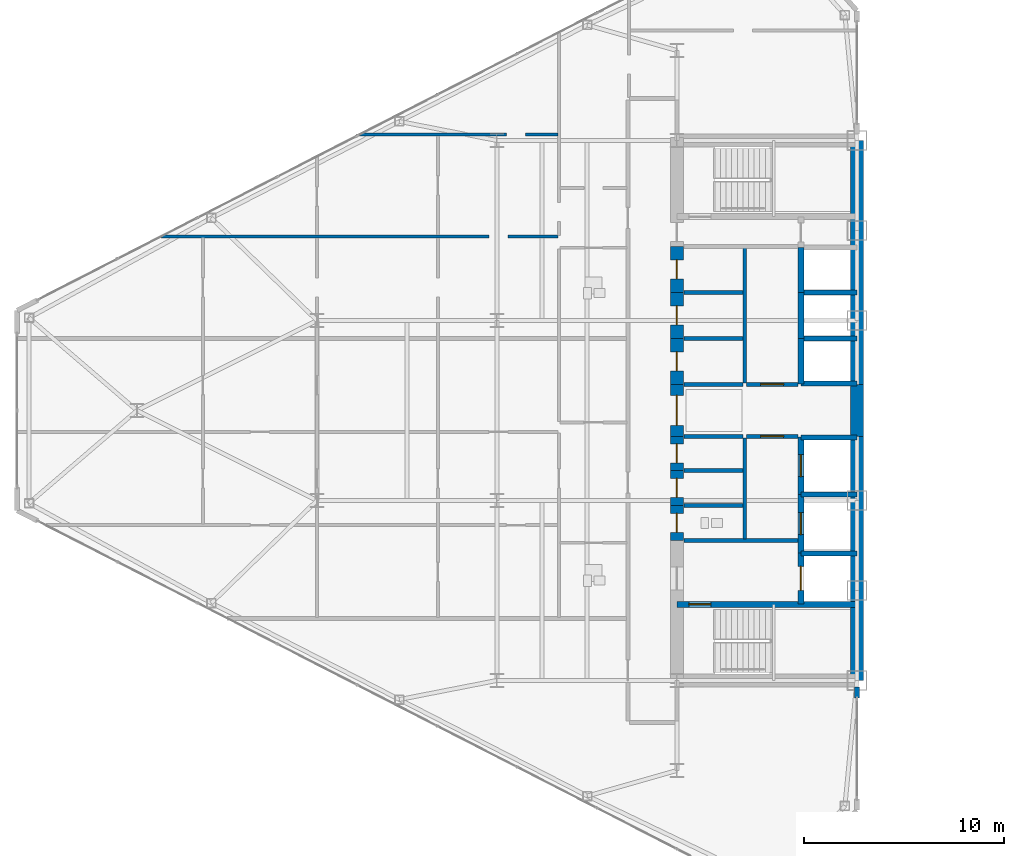
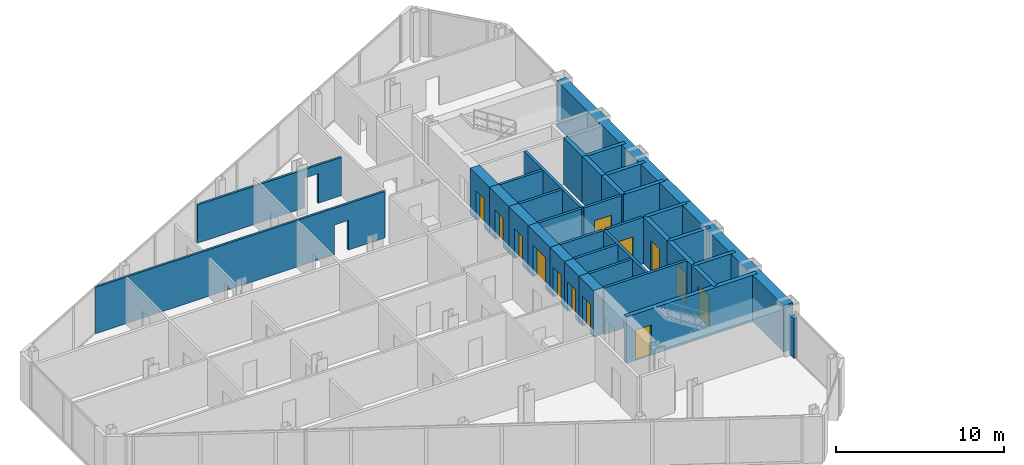
# One storey, part 17 of 24: 37 walls, 13 doors, 15 openings.
"""IFC4 building model written with IfcOpenShell, lengths in metres."""

from ifc_helpers import new_model, si_unit, direction, frame, frame_2d, origin, place, context, subcontext, project, spatial, rectangle, extrude, source, transform, mapped, material, layer, layer_set, type_object, type_shapes, element, fill, save


model = new_model("IFC4")

# Units and contexts
model_context = context("Model", 3, precision=1e-05, world=origin(), true_north=direction((0.0, 1.0)))
body_context = subcontext(model_context, "Body", "Model", "MODEL_VIEW")
ifc_project = project(units=[si_unit("LENGTHUNIT", "METRE"), si_unit("AREAUNIT", "SQUARE_METRE"), si_unit("VOLUMEUNIT", "CUBIC_METRE"), si_unit("PLANEANGLEUNIT", "RADIAN"), si_unit("MASSUNIT", "GRAM", prefix="KILO")], contexts=[model_context])

# Site, building, storey
site_placement = place(None, origin())
site = spatial("IfcSite", under=ifc_project, at=site_placement, CompositionType="ELEMENT")
building_placement = place(site_placement, origin())
building = spatial("IfcBuilding", under=site, at=building_placement, Name="Seokmaru Belvedere", CompositionType="ELEMENT")
storey_placement = place(building_placement, frame((0.0, 0.0, 124.800048828125)))
storey = spatial("IfcBuildingStorey", under=building, at=storey_placement, Name="L33", CompositionType="ELEMENT", Elevation=124.800048828125)

# Wall, opening
ifc_material_1 = material(Name="Fire-Rated Gypsum Shaftwall")
ifc_layer_1 = layer(ifc_material_1, 0.14990234375)
ifc_layer_set_1 = layer_set([ifc_layer_1], Name="Fire-Rated Gypsum Shaftwall")
wall_type_1 = type_object("IfcWallType", Name="Apartment Fire-Acoustic Room Partition 150", PredefinedType="PARTITIONING", material=ifc_layer_set_1)
wall_1_placement = place(storey_placement, frame((-62.321044921875, 8.699951171875, 0.0), z_axis=(0.0, 0.0, 1.0), x_axis=(1.0, 0.0, 0.0)))
wall_1 = element("IfcWall", 1, at=wall_1_placement, inside=storey, type_object=wall_type_1, Name="L33 Interior Partition 020", PredefinedType="PARTITIONING", context=body_context, shape_type="SweptSolid", body=[
    extrude(rectangle(XDim=19.87109375, YDim=0.14990234375, at=frame_2d((9.935546875, 0.0))), origin(), (0.0, 0.0, 1.0), 3.3798828125),
])
opening_1_placement = place(wall_1_placement, frame((16.4208984375, 0.0, 0.0)))
element("IfcOpeningElement", 2, at=opening_1_placement, cuts=wall_1, Name="L33 Cased Opening 020", PredefinedType="OPENING", context=body_context, shape_type="SweptSolid", body=[
    extrude(rectangle(XDim=0.949951171875, YDim=2.14990234375, at=frame_2d((0.47509765625, 1.074951171875))), frame((0.0, 0.0849609375, 0.0), z_axis=(0.0, -1.0, 0.0), x_axis=(1.0, 0.0, 0.0)), (0.0, 0.0, 1.0), 0.169921875),
])

wall_2_placement = place(storey_placement, frame((-52.3779296875, 13.800048828125, 0.0), z_axis=(0.0, 0.0, 1.0), x_axis=(1.0, 0.0, 0.0)))
wall_2 = element("IfcWall", 3, at=wall_2_placement, inside=storey, type_object=wall_type_1, Name="L33 Interior Partition 023", PredefinedType="PARTITIONING", context=body_context, shape_type="SweptSolid", body=[
    extrude(rectangle(XDim=9.927978515625, YDim=0.14990234375, at=frame_2d((4.9638671875, 0.0))), origin(), (0.0, 0.0, 1.0), 2.780029296875),
])
opening_2_placement = place(wall_2_placement, frame((7.351318359375, 0.0, 0.0)))
element("IfcOpeningElement", 4, at=opening_2_placement, cuts=wall_2, Name="L33 Cased Opening 022", PredefinedType="OPENING", context=body_context, shape_type="SweptSolid", body=[
    extrude(rectangle(XDim=0.949951171875, YDim=2.14990234375, at=frame_2d((0.47509765625, 1.074951171875))), frame((0.0, 0.0849609375, 0.0), z_axis=(0.0, -1.0, 0.0), x_axis=(1.0, 0.0, 0.0)), (0.0, 0.0, 1.0), 0.169921875),
])

# Walls
ifc_layer_2 = layer(ifc_material_1, 0.179931640625)
ifc_layer_set_2 = layer_set([ifc_layer_2], Name="Fire-Rated Gypsum Shaftwall")
wall_type_2 = type_object("IfcWallType", Name="Core Service Fire Partition 180", PredefinedType="PARTITIONING", material=ifc_layer_set_2)
wall_3_placement = place(storey_placement, frame((-36.14990234375, -6.5, 0.0), z_axis=(0.0, 0.0, 1.0), x_axis=(1.0, 0.0, 0.0)))
element("IfcWall", 5, at=wall_3_placement, inside=storey, type_object=wall_type_2, Name="L33 West Firefighting Lobby Partition", PredefinedType="PARTITIONING", context=body_context, shape_type="SweptSolid", body=[
    extrude(rectangle(XDim=5.699951171875, YDim=0.179931640625, at=frame_2d((2.85009765625, 0.0))), origin(), (0.0, 0.0, 1.0), 3.3798828125),
])
wall_4_placement = place(storey_placement, frame((-33.10009765625, -6.419921875, 0.0), z_axis=(0.0, 0.0, 1.0), x_axis=(0.0, 1.0, 0.0)))
element("IfcWall", 6, at=wall_4_placement, inside=storey, type_object=wall_type_2, Name="L33 West South Core Service Back Wall", PredefinedType="PARTITIONING", context=body_context, shape_type="SweptSolid", body=[
    extrude(rectangle(XDim=5.0400390625, YDim=0.179931640625, at=frame_2d((2.52001953125, 0.0))), origin(), (0.0, 0.0, 1.0), 3.3798828125),
])
wall_5_placement = place(storey_placement, frame((-33.10009765625, 1.3798828125, 0.0), z_axis=(0.0, 0.0, 1.0), x_axis=(0.0, 1.0, 0.0)))
element("IfcWall", 7, at=wall_5_placement, inside=storey, type_object=wall_type_2, Name="L33 West North Core Service Back Wall", PredefinedType="PARTITIONING", context=body_context, shape_type="SweptSolid", body=[
    extrude(rectangle(XDim=6.740234375, YDim=0.179931640625, at=frame_2d((3.3701171875, 0.0))), origin(), (0.0, 0.0, 1.0), 3.3798828125),
])

# Wall, opening, door
wall_6_placement = place(storey_placement, frame((-33.02001953125, -1.300048828125, 0.0), z_axis=(0.0, 0.0, 1.0), x_axis=(1.0, 0.0, 0.0)))
wall_6 = element("IfcWall", 8, at=wall_6_placement, inside=storey, type_object=wall_type_2, Name="L33 West South Lift Lobby Foyer Wall", PredefinedType="PARTITIONING", context=body_context, shape_type="SweptSolid", body=[
    extrude(rectangle(XDim=2.570068359375, YDim=0.179931640625, at=frame_2d((1.28515625, 0.0))), origin(), (0.0, 0.0, 1.0), 3.3798828125),
])
opening_3_placement = place(wall_6_placement, frame((0.7099609375, 0.0, 0.0)))
opening_3 = element("IfcOpeningElement", 9, at=opening_3_placement, cuts=wall_6, Name="Opening D02", PredefinedType="OPENING", context=body_context, shape_type="SweptSolid", body=[
    extrude(rectangle(XDim=1.14990234375, YDim=2.199951171875, at=frame_2d((0.574951171875, 1.10009765625))), frame((0.0, 0.10009765625, 0.0), z_axis=(0.0, -1.0, 0.0), x_axis=(1.0, 0.0, 0.0)), (0.0, 0.0, 1.0), 0.199951171875),
])
ifc_material_2 = material(Name="Fire-Rated Steel Leaf", Category="steel")
door_type_1 = type_object("IfcDoorType", Name="Lobby and Vestibule Fire Door 1150x2200", OperationType="NOTDEFINED", PredefinedType="DOOR", material=ifc_material_2)
shared_shape_1 = source(origin(), body_context, "Body", "SweptSolid", [
    extrude(rectangle(XDim=1.14990234375, YDim=2.199951171875, at=frame_2d((0.574951171875, 1.10009765625))), frame((0.0, 0.02490234375, 0.0), z_axis=(0.0, -1.0, 0.0), x_axis=(1.0, 0.0, 0.0)), (0.0, 0.0, 1.0), 0.050048828125),
])
type_shapes(door_type_1, [shared_shape_1])
door_1_placement = place(opening_3_placement, origin())
door_1 = element("IfcDoor", 10, at=door_1_placement, inside=storey, type_object=door_type_1, Name="L33 West South Core Foyer Door", OperationType="SINGLE_SWING_LEFT", OverallHeight=2.199951171875, OverallWidth=1.14990234375, PredefinedType="DOOR", context=body_context, shape_type="MappedRepresentation", body=[
    mapped(shared_shape_1, transform((0.0, 0.0, 0.0), scale=1.0)),
])
fill(opening_3, door_1)

wall_7_placement = place(storey_placement, frame((-33.02001953125, 1.300048828125, 0.0), z_axis=(0.0, 0.0, 1.0), x_axis=(1.0, 0.0, 0.0)))
wall_7 = element("IfcWall", 11, at=wall_7_placement, inside=storey, type_object=wall_type_2, Name="L33 West North Lift Lobby Foyer Wall", PredefinedType="PARTITIONING", context=body_context, shape_type="SweptSolid", body=[
    extrude(rectangle(XDim=2.570068359375, YDim=0.179931640625, at=frame_2d((1.28515625, 0.0))), origin(), (0.0, 0.0, 1.0), 3.3798828125),
])
opening_4_placement = place(wall_7_placement, frame((0.7099609375, 0.0, 0.0)))
opening_4 = element("IfcOpeningElement", 12, at=opening_4_placement, cuts=wall_7, Name="Opening D02", PredefinedType="OPENING", context=body_context, shape_type="SweptSolid", body=[
    extrude(rectangle(XDim=1.14990234375, YDim=2.199951171875, at=frame_2d((0.574951171875, 1.10009765625))), frame((0.0, 0.10009765625, 0.0), z_axis=(0.0, -1.0, 0.0), x_axis=(1.0, 0.0, 0.0)), (0.0, 0.0, 1.0), 0.199951171875),
])
door_2_placement = place(opening_4_placement, origin())
door_2 = element("IfcDoor", 13, at=door_2_placement, inside=storey, type_object=door_type_1, Name="L33 West North Lift Lobby Door", OperationType="SINGLE_SWING_RIGHT", OverallHeight=2.199951171875, OverallWidth=1.14990234375, PredefinedType="DOOR", context=body_context, shape_type="MappedRepresentation", body=[
    mapped(shared_shape_1, transform((0.0, 0.0, 0.0), scale=1.0)),
])
fill(opening_4, door_2)

# Walls
for number, where, z_axis, x_axis, name in (
    (14, (-36.14990234375, -1.300048828125, 0.0), (0.0, 0.0, 1.0), (1.0, 0.0, 0.0), "L33 West Foyer Side Wall S"),
    (15, (-36.14990234375, 1.300048828125, 0.0), (0.0, 0.0, 1.0), (1.0, 0.0, 0.0), "L33 West Foyer Side Wall N"),
    (16, (-36.14990234375, -4.75, 0.0), (0.0, 0.0, 1.0), (1.0, 0.0, 0.0), "L33 West Core Service Partition 1"),
    (17, (-36.14990234375, -3.0, 0.0), (0.0, 0.0, 1.0), (1.0, 0.0, 0.0), "L33 West Core Service Partition 2"),
    (18, (-36.14990234375, 3.60009765625, 0.0), (0.0, 0.0, 1.0), (1.0, 0.0, 0.0), "L33 West Core Service Partition 3"),
    (19, (-36.14990234375, 5.89990234375, 0.0), (0.0, 0.0, 1.0), (1.0, 0.0, 0.0), "L33 West Core Service Partition 4"),
):
    element("IfcWall", number, at=place(storey_placement, frame(where, z_axis=z_axis, x_axis=x_axis)), inside=storey, type_object=wall_type_2, Name=name, PredefinedType="PARTITIONING", context=body_context, shape_type="SweptSolid", body=[
        extrude(rectangle(XDim=2.949951171875, YDim=0.179931640625, at=frame_2d((1.47509765625, 0.0))), origin(), (0.0, 0.0, 1.0), 3.3798828125),
    ])
ifc_material_3 = material(Name="Concrete C50 (50 MPa)", Category="concrete")
ifc_layer_3 = layer(ifc_material_3, 0.25)
ifc_layer_set_3 = layer_set([ifc_layer_3], Name="Concrete C50 (50 MPa)")
wall_type_3 = type_object("IfcWallType", Name="Hoistway Transverse Concrete Divider Wall 250", PredefinedType="SHEAR", material=ifc_layer_set_3)
for number, where, z_axis, x_axis, name in (
    (20, (-30.300048828125, -7.14990234375, 0.0), (0.0, 0.0, 1.0), (1.0, 0.0, 0.0), "L33 West Hoistway Divider Core Wall 1"),
    (21, (-30.300048828125, -4.199951171875, 0.0), (0.0, 0.0, 1.0), (1.0, 0.0, 0.0), "L33 West Hoistway Divider Core Wall 2"),
    (22, (-30.300048828125, -1.35009765625, 0.0), (0.0, 0.0, 1.0), (1.0, 0.0, 0.0), "L33 West Hoistway Divider Core Wall 3"),
    (23, (-30.300048828125, 1.35009765625, 0.0), (0.0, 0.0, 1.0), (1.0, 0.0, 0.0), "L33 West Hoistway Divider Core Wall 4"),
    (24, (-30.300048828125, 3.60009765625, 0.0), (0.0, 0.0, 1.0), (1.0, 0.0, 0.0), "L33 West Hoistway Divider Core Wall 5"),
    (25, (-30.300048828125, 5.89990234375, 0.0), (0.0, 0.0, 1.0), (1.0, 0.0, 0.0), "L33 West Hoistway Divider Core Wall 6"),
):
    element("IfcWall", number, at=place(storey_placement, frame(where, z_axis=z_axis, x_axis=x_axis)), inside=storey, type_object=wall_type_3, Name=name, PredefinedType="SHEAR", context=body_context, shape_type="SweptSolid", body=[
        extrude(rectangle(XDim=2.800048828125, YDim=0.25, at=frame_2d((1.39990234375, 0.0))), origin(), (0.0, 0.0, 1.0), 3.3798828125),
    ])

# Wall, opening, door
ifc_layer_4 = layer(ifc_material_3, 0.300048828125)
ifc_layer_set_4 = layer_set([ifc_layer_4], Name="Concrete C50 (50 MPa)")
wall_type_4 = type_object("IfcWallType", Name="Internal Core Stair and Hoistway Wall 300", PredefinedType="SHEAR", material=ifc_layer_set_4)
wall_8_placement = place(storey_placement, frame((-36.5, -9.699951171875, 0.0), z_axis=(0.0, 0.0, 1.0), x_axis=(1.0, 0.0, 0.0)))
wall_8 = element("IfcWall", 26, at=wall_8_placement, inside=storey, type_object=wall_type_4, Name="L33 West Stair ST-1 Enclosure Wall", PredefinedType="SHEAR", context=body_context, shape_type="SweptSolid", body=[
    extrude(rectangle(XDim=9.0, YDim=0.300048828125, at=frame_2d((4.5, 0.0))), origin(), (0.0, 0.0, 1.0), 3.3798828125),
])
opening_5_placement = place(wall_8_placement, frame((0.60009765625, 0.0, 0.0)))
opening_5 = element("IfcOpeningElement", 27, at=opening_5_placement, cuts=wall_8, Name="Opening D01", PredefinedType="OPENING", context=body_context, shape_type="SweptSolid", body=[
    extrude(rectangle(XDim=1.10009765625, YDim=2.199951171875, at=frame_2d((0.550048828125, 1.10009765625))), frame((0.0, 0.16015625, 0.0), z_axis=(0.0, -1.0, 0.0), x_axis=(1.0, 0.0, 0.0)), (0.0, 0.0, 1.0), 0.320068359375),
])
door_type_2 = type_object("IfcDoorType", Name="Special Escape Stair Smokeproof Fire Door 1100x2200", OperationType="NOTDEFINED", PredefinedType="DOOR", material=ifc_material_2)
shared_shape_2 = source(origin(), body_context, "Body", "SweptSolid", [
    extrude(rectangle(XDim=1.10009765625, YDim=2.199951171875, at=frame_2d((0.550048828125, 1.10009765625))), frame((0.0, 0.02490234375, 0.0), z_axis=(0.0, -1.0, 0.0), x_axis=(1.0, 0.0, 0.0)), (0.0, 0.0, 1.0), 0.050048828125),
])
type_shapes(door_type_2, [shared_shape_2])
door_3_placement = place(opening_5_placement, frame((1.10009765625, 0.0, 0.0), z_axis=(0.0, 0.0, 1.0), x_axis=(-1.0, 0.0, 0.0)))
door_3 = element("IfcDoor", 28, at=door_3_placement, inside=storey, type_object=door_type_2, Name="L33 West Special Escape Stair ST-1 Door", OperationType="SINGLE_SWING_LEFT", OverallHeight=2.199951171875, OverallWidth=1.10009765625, PredefinedType="DOOR", context=body_context, shape_type="MappedRepresentation", body=[
    mapped(shared_shape_2, transform((0.0, 0.0, 0.0), scale=1.0)),
])
fill(opening_5, door_3)

wall_9_placement = place(storey_placement, frame((-30.300048828125, -9.679931640625, 0.0), z_axis=(0.0, 0.0, 1.0), x_axis=(0.0, 1.0, 0.0)))
wall_9 = element("IfcWall", 29, at=wall_9_placement, inside=storey, type_object=wall_type_4, Name="L33 West Firefighting Lift Shaft Front Wall", PredefinedType="SHEAR", context=body_context, shape_type="SweptSolid", body=[
    extrude(rectangle(XDim=2.559814453125, YDim=0.300048828125, at=frame_2d((1.27978515625, 0.0))), origin(), (0.0, 0.0, 1.0), 3.3798828125),
])
opening_6_placement = place(wall_9_placement, frame((0.679931640625, 0.0, 0.0)))
opening_6 = element("IfcOpeningElement", 30, at=opening_6_placement, cuts=wall_9, Name="Opening LD2", PredefinedType="OPENING", context=body_context, shape_type="SweptSolid", body=[
    extrude(rectangle(XDim=1.199951171875, YDim=2.25, at=frame_2d((0.60009765625, 1.125))), frame((0.0, 0.16015625, 0.0), z_axis=(0.0, -1.0, 0.0), x_axis=(1.0, 0.0, 0.0)), (0.0, 0.0, 1.0), 0.320068359375),
])
ifc_material_4 = material(Name="Stainless Steel 316", Category="steel")
door_type_3 = type_object("IfcDoorType", Name="Firefighting Lift Sliding Landing Door 1200x2250", OperationType="DOUBLE_DOOR_SLIDING", PredefinedType="DOOR", material=ifc_material_4)
shared_shape_3 = source(origin(), body_context, "Body", "SweptSolid", [
    extrude(rectangle(XDim=1.199951171875, YDim=2.25, at=frame_2d((0.60009765625, 1.125))), frame((0.0, 0.02490234375, 0.0), z_axis=(0.0, -1.0, 0.0), x_axis=(1.0, 0.0, 0.0)), (0.0, 0.0, 1.0), 0.050048828125),
])
type_shapes(door_type_3, [shared_shape_3])
door_4_placement = place(opening_6_placement, origin())
door_4 = element("IfcDoor", 31, at=door_4_placement, inside=storey, type_object=door_type_3, Name="L33 West Firefighting Lift Landing Door", OperationType="DOUBLE_DOOR_SLIDING", OverallHeight=2.25, OverallWidth=1.199951171875, PredefinedType="DOOR", context=body_context, shape_type="MappedRepresentation", body=[
    mapped(shared_shape_3, transform((0.0, 0.0, 0.0), scale=1.0)),
])
fill(opening_6, door_4)

wall_10_placement = place(storey_placement, frame((-30.300048828125, -7.1201171875, 0.0), z_axis=(0.0, 0.0, 1.0), x_axis=(0.0, 1.0, 0.0)))
wall_10 = element("IfcWall", 32, at=wall_10_placement, inside=storey, type_object=wall_type_4, Name="L33 West Low-Rise Lift PL-1 Front Wall", PredefinedType="SHEAR", context=body_context, shape_type="SweptSolid", body=[
    extrude(rectangle(XDim=2.920166015625, YDim=0.300048828125, at=frame_2d((1.4599609375, 0.0))), origin(), (0.0, 0.0, 1.0), 3.3798828125),
])
opening_7_placement = place(wall_10_placement, frame((0.909912109375, 0.0, 0.0)))
opening_7 = element("IfcOpeningElement", 33, at=opening_7_placement, cuts=wall_10, Name="Opening LD1", PredefinedType="OPENING", context=body_context, shape_type="SweptSolid", body=[
    extrude(rectangle(XDim=1.10009765625, YDim=2.199951171875, at=frame_2d((0.550048828125, 1.10009765625))), frame((0.0, 0.16015625, 0.0), z_axis=(0.0, -1.0, 0.0), x_axis=(1.0, 0.0, 0.0)), (0.0, 0.0, 1.0), 0.320068359375),
])
door_type_4 = type_object("IfcDoorType", Name="Passenger Lift Sliding Landing Door 1100x2200", OperationType="DOUBLE_DOOR_SLIDING", PredefinedType="DOOR", material=ifc_material_4)
shared_shape_4 = source(origin(), body_context, "Body", "SweptSolid", [
    extrude(rectangle(XDim=1.10009765625, YDim=2.199951171875, at=frame_2d((0.550048828125, 1.10009765625))), frame((0.0, 0.02490234375, 0.0), z_axis=(0.0, -1.0, 0.0), x_axis=(1.0, 0.0, 0.0)), (0.0, 0.0, 1.0), 0.050048828125),
])
type_shapes(door_type_4, [shared_shape_4])
door_5_placement = place(opening_7_placement, origin())
door_5 = element("IfcDoor", 34, at=door_5_placement, inside=storey, type_object=door_type_4, Name="L33 West Low-Rise Lift PL-1 Landing Door", OperationType="DOUBLE_DOOR_SLIDING", OverallHeight=2.199951171875, OverallWidth=1.10009765625, PredefinedType="DOOR", context=body_context, shape_type="MappedRepresentation", body=[
    mapped(shared_shape_4, transform((0.0, 0.0, 0.0), scale=1.0)),
])
fill(opening_7, door_5)

wall_11_placement = place(storey_placement, frame((-30.300048828125, -4.199951171875, 0.0), z_axis=(0.0, 0.0, 1.0), x_axis=(0.0, 1.0, 0.0)))
wall_11 = element("IfcWall", 35, at=wall_11_placement, inside=storey, type_object=wall_type_4, Name="L33 West Low-Rise Lift PL-2 Front Wall", PredefinedType="SHEAR", context=body_context, shape_type="SweptSolid", body=[
    extrude(rectangle(XDim=2.8798828125, YDim=0.300048828125, at=frame_2d((1.43994140625, 0.0))), origin(), (0.0, 0.0, 1.0), 3.3798828125),
])
opening_8_placement = place(wall_11_placement, frame((0.889892578125, 0.0, 0.0)))
opening_8 = element("IfcOpeningElement", 36, at=opening_8_placement, cuts=wall_11, Name="Opening LD1", PredefinedType="OPENING", context=body_context, shape_type="SweptSolid", body=[
    extrude(rectangle(XDim=1.10009765625, YDim=2.199951171875, at=frame_2d((0.550048828125, 1.10009765625))), frame((0.0, 0.16015625, 0.0), z_axis=(0.0, -1.0, 0.0), x_axis=(1.0, 0.0, 0.0)), (0.0, 0.0, 1.0), 0.320068359375),
])
door_6_placement = place(opening_8_placement, origin())
door_6 = element("IfcDoor", 37, at=door_6_placement, inside=storey, type_object=door_type_4, Name="L33 West Low-Rise Lift PL-2 Landing Door", OperationType="DOUBLE_DOOR_SLIDING", OverallHeight=2.199951171875, OverallWidth=1.10009765625, PredefinedType="DOOR", context=body_context, shape_type="MappedRepresentation", body=[
    mapped(shared_shape_4, transform((0.0, 0.0, 0.0), scale=1.0)),
])
fill(opening_8, door_6)

# Walls
wall_12_placement = place(storey_placement, frame((-30.300048828125, 1.320068359375, 0.0), z_axis=(0.0, 0.0, 1.0), x_axis=(0.0, 1.0, 0.0)))
element("IfcWall", 38, at=wall_12_placement, inside=storey, type_object=wall_type_4, Name="L33 West North Hoistway Wall PH1", PredefinedType="SHEAR", context=body_context, shape_type="SweptSolid", body=[
    extrude(rectangle(XDim=2.280029296875, YDim=0.300048828125, at=frame_2d((1.14013671875, 0.0))), origin(), (0.0, 0.0, 1.0), 3.3798828125),
])
wall_13_placement = place(storey_placement, frame((-30.300048828125, 3.60009765625, 0.0), z_axis=(0.0, 0.0, 1.0), x_axis=(0.0, 1.0, 0.0)))
element("IfcWall", 39, at=wall_13_placement, inside=storey, type_object=wall_type_4, Name="L33 West North Hoistway Wall PH2", PredefinedType="SHEAR", context=body_context, shape_type="SweptSolid", body=[
    extrude(rectangle(XDim=2.2998046875, YDim=0.300048828125, at=frame_2d((1.14990234375, 0.0))), origin(), (0.0, 0.0, 1.0), 3.3798828125),
])
wall_14_placement = place(storey_placement, frame((-30.300048828125, 5.89990234375, 0.0), z_axis=(0.0, 0.0, 1.0), x_axis=(0.0, 1.0, 0.0)))
element("IfcWall", 40, at=wall_14_placement, inside=storey, type_object=wall_type_4, Name="L33 West North Hoistway Wall OBS", PredefinedType="SHEAR", context=body_context, shape_type="SweptSolid", body=[
    extrude(rectangle(XDim=2.25, YDim=0.300048828125, at=frame_2d((1.125, 0.0))), origin(), (0.0, 0.0, 1.0), 3.3798828125),
])
ifc_material_5 = material(Name="Concrete C60 (60 MPa)", Category="concrete")
ifc_layer_5 = layer(ifc_material_5, 0.64990234375)
ifc_layer_set_5 = layer_set([ifc_layer_5], Name="Concrete C60 (60 MPa)")
wall_type_5 = type_object("IfcWallType", Name="Mid-Low Reinforced Concrete Core Wall 650", PredefinedType="SHEAR", material=ifc_layer_set_5)
for number, where, z_axis, x_axis, name in (
    (41, (-27.5, -13.5, 0.0), (0.0, 0.0, 1.0), (0.0, 1.0, 0.0), "L33 West Portal Spine Core Wall South"),
    (42, (-27.5, 1.300048828125, 0.0), (0.0, 0.0, 1.0), (0.0, 1.0, 0.0), "L33 West Portal Spine Core Wall North"),
):
    element("IfcWall", number, at=place(storey_placement, frame(where, z_axis=z_axis, x_axis=x_axis)), inside=storey, type_object=wall_type_5, Name=name, PredefinedType="SHEAR", context=body_context, shape_type="SweptSolid", body=[
        extrude(rectangle(XDim=12.199951171875, YDim=0.64990234375, at=frame_2d((6.10009765625, 0.0))), origin(), (0.0, 0.0, 1.0), 3.3798828125),
    ])
wall_15_placement = place(storey_placement, frame((-27.5, -1.300048828125, 0.0), z_axis=(0.0, 0.0, 1.0), x_axis=(0.0, 1.0, 0.0)))
element("IfcWall", 43, at=wall_15_placement, inside=storey, type_object=wall_type_5, Name="L33 West Portal Spine Core Wall Center", PredefinedType="SHEAR", context=body_context, shape_type="SweptSolid", body=[
    extrude(rectangle(XDim=2.60009765625, YDim=0.64990234375, at=frame_2d((1.300048828125, 0.0))), origin(), (0.0, 0.0, 1.0), 3.3798828125),
])

# Wall, opening, door
wall_16_placement = place(storey_placement, frame((-36.5, -1.300048828125, 0.0), z_axis=(0.0, 0.0, 1.0), x_axis=(0.0, 1.0, 0.0)))
wall_16 = element("IfcWall", 44, at=wall_16_placement, inside=storey, type_object=wall_type_5, Name="L33 West West Core Wall FOY", PredefinedType="SHEAR", context=body_context, shape_type="SweptSolid", body=[
    extrude(rectangle(XDim=2.60009765625, YDim=0.64990234375, at=frame_2d((1.300048828125, 0.0))), origin(), (0.0, 0.0, 1.0), 3.3798828125),
])
opening_9_placement = place(wall_16_placement, frame((0.550048828125, 0.0, 0.0)))
opening_9 = element("IfcOpeningElement", 45, at=opening_9_placement, cuts=wall_16, Name="Opening D08", PredefinedType="OPENING", context=body_context, shape_type="SweptSolid", body=[
    extrude(rectangle(XDim=1.5, YDim=2.300048828125, at=frame_2d((0.75, 1.14990234375))), frame((0.0, 0.3349609375, 0.0), z_axis=(0.0, -1.0, 0.0), x_axis=(1.0, 0.0, 0.0)), (0.0, 0.0, 1.0), 0.669921875),
])
door_type_5 = type_object("IfcDoorType", Name="Cross-Corridor Compartment Double Fire Door 1500x2300", OperationType="DOUBLE_SWING_LEFT", PredefinedType="DOOR", material=ifc_material_2)
shared_shape_5 = source(origin(), body_context, "Body", "SweptSolid", [
    extrude(rectangle(XDim=1.5, YDim=2.300048828125, at=frame_2d((0.75, 1.14990234375))), frame((0.0, 0.02490234375, 0.0), z_axis=(0.0, -1.0, 0.0), x_axis=(1.0, 0.0, 0.0)), (0.0, 0.0, 1.0), 0.050048828125),
])
type_shapes(door_type_5, [shared_shape_5])
door_7_placement = place(opening_9_placement, origin())
door_7 = element("IfcDoor", 46, at=door_7_placement, inside=storey, type_object=door_type_5, Name="L33 West Core Foyer Compartment Door", OperationType="DOUBLE_SWING_LEFT", OverallHeight=2.300048828125, OverallWidth=1.5, PredefinedType="DOOR", context=body_context, shape_type="MappedRepresentation", body=[
    mapped(shared_shape_5, transform((0.0, 0.0, 0.0), scale=1.0)),
])
fill(opening_9, door_7)

wall_17_placement = place(storey_placement, frame((-36.5, -6.5, 0.0), z_axis=(0.0, 0.0, 1.0), x_axis=(0.0, 1.0, 0.0)))
wall_17 = element("IfcWall", 47, at=wall_17_placement, inside=storey, type_object=wall_type_5, Name="L33 West West Core Wall CS1", PredefinedType="SHEAR", context=body_context, shape_type="SweptSolid", body=[
    extrude(rectangle(XDim=1.75, YDim=0.64990234375, at=frame_2d((0.875, 0.0))), origin(), (0.0, 0.0, 1.0), 3.3798828125),
])
opening_10_placement = place(wall_17_placement, frame((0.39990234375, 0.0, 0.0)))
opening_10 = element("IfcOpeningElement", 48, at=opening_10_placement, cuts=wall_17, Name="Opening D04", PredefinedType="OPENING", context=body_context, shape_type="SweptSolid", body=[
    extrude(rectangle(XDim=0.949951171875, YDim=2.14990234375, at=frame_2d((0.47509765625, 1.074951171875))), frame((0.0, 0.3349609375, 0.0), z_axis=(0.0, -1.0, 0.0), x_axis=(1.0, 0.0, 0.0)), (0.0, 0.0, 1.0), 0.669921875),
])
door_type_6 = type_object("IfcDoorType", Name="Core Service Room Fire Door 950x2150", OperationType="NOTDEFINED", PredefinedType="DOOR", material=ifc_material_2)
shared_shape_6 = source(origin(), body_context, "Body", "SweptSolid", [
    extrude(rectangle(XDim=0.949951171875, YDim=2.14990234375, at=frame_2d((0.47509765625, 1.074951171875))), frame((0.0, 0.02490234375, 0.0), z_axis=(0.0, -1.0, 0.0), x_axis=(1.0, 0.0, 0.0)), (0.0, 0.0, 1.0), 0.050048828125),
])
type_shapes(door_type_6, [shared_shape_6])
door_8_placement = place(opening_10_placement, origin())
door_8 = element("IfcDoor", 49, at=door_8_placement, inside=storey, type_object=door_type_6, Name="L33 West Core Service Room Door 1", OperationType="SINGLE_SWING_LEFT", OverallHeight=2.14990234375, OverallWidth=0.949951171875, PredefinedType="DOOR", context=body_context, shape_type="MappedRepresentation", body=[
    mapped(shared_shape_6, transform((0.0, 0.0, 0.0), scale=1.0)),
])
fill(opening_10, door_8)

wall_18_placement = place(storey_placement, frame((-36.5, -4.75, 0.0), z_axis=(0.0, 0.0, 1.0), x_axis=(0.0, 1.0, 0.0)))
wall_18 = element("IfcWall", 50, at=wall_18_placement, inside=storey, type_object=wall_type_5, Name="L33 West West Core Wall CS2", PredefinedType="SHEAR", context=body_context, shape_type="SweptSolid", body=[
    extrude(rectangle(XDim=1.75, YDim=0.64990234375, at=frame_2d((0.875, 0.0))), origin(), (0.0, 0.0, 1.0), 3.3798828125),
])
opening_11_placement = place(wall_18_placement, frame((0.39990234375, 0.0, 0.0)))
opening_11 = element("IfcOpeningElement", 51, at=opening_11_placement, cuts=wall_18, Name="Opening D04", PredefinedType="OPENING", context=body_context, shape_type="SweptSolid", body=[
    extrude(rectangle(XDim=0.949951171875, YDim=2.14990234375, at=frame_2d((0.47509765625, 1.074951171875))), frame((0.0, 0.3349609375, 0.0), z_axis=(0.0, -1.0, 0.0), x_axis=(1.0, 0.0, 0.0)), (0.0, 0.0, 1.0), 0.669921875),
])
door_9_placement = place(opening_11_placement, origin())
door_9 = element("IfcDoor", 52, at=door_9_placement, inside=storey, type_object=door_type_6, Name="L33 West Core Service Room Door 2", OperationType="SINGLE_SWING_RIGHT", OverallHeight=2.14990234375, OverallWidth=0.949951171875, PredefinedType="DOOR", context=body_context, shape_type="MappedRepresentation", body=[
    mapped(shared_shape_6, transform((0.0, 0.0, 0.0), scale=1.0)),
])
fill(opening_11, door_9)

wall_19_placement = place(storey_placement, frame((-36.5, -3.0, 0.0), z_axis=(0.0, 0.0, 1.0), x_axis=(0.0, 1.0, 0.0)))
wall_19 = element("IfcWall", 53, at=wall_19_placement, inside=storey, type_object=wall_type_5, Name="L33 West West Core Wall CS3", PredefinedType="SHEAR", context=body_context, shape_type="SweptSolid", body=[
    extrude(rectangle(XDim=1.699951171875, YDim=0.64990234375, at=frame_2d((0.85009765625, 0.0))), origin(), (0.0, 0.0, 1.0), 3.3798828125),
])
opening_12_placement = place(wall_19_placement, frame((0.375, 0.0, 0.0)))
opening_12 = element("IfcOpeningElement", 54, at=opening_12_placement, cuts=wall_19, Name="Opening D04", PredefinedType="OPENING", context=body_context, shape_type="SweptSolid", body=[
    extrude(rectangle(XDim=0.949951171875, YDim=2.14990234375, at=frame_2d((0.47509765625, 1.074951171875))), frame((0.0, 0.3349609375, 0.0), z_axis=(0.0, -1.0, 0.0), x_axis=(1.0, 0.0, 0.0)), (0.0, 0.0, 1.0), 0.669921875),
])
door_10_placement = place(opening_12_placement, origin())
door_10 = element("IfcDoor", 55, at=door_10_placement, inside=storey, type_object=door_type_6, Name="L33 West Core Service Room Door 3", OperationType="SINGLE_SWING_LEFT", OverallHeight=2.14990234375, OverallWidth=0.949951171875, PredefinedType="DOOR", context=body_context, shape_type="MappedRepresentation", body=[
    mapped(shared_shape_6, transform((0.0, 0.0, 0.0), scale=1.0)),
])
fill(opening_12, door_10)

wall_20_placement = place(storey_placement, frame((-36.5, 1.300048828125, 0.0), z_axis=(0.0, 0.0, 1.0), x_axis=(0.0, 1.0, 0.0)))
wall_20 = element("IfcWall", 56, at=wall_20_placement, inside=storey, type_object=wall_type_5, Name="L33 West West Core Wall CS4", PredefinedType="SHEAR", context=body_context, shape_type="SweptSolid", body=[
    extrude(rectangle(XDim=2.300048828125, YDim=0.64990234375, at=frame_2d((1.14990234375, 0.0))), origin(), (0.0, 0.0, 1.0), 3.3798828125),
])
opening_13_placement = place(wall_20_placement, frame((0.675048828125, 0.0, 0.0)))
opening_13 = element("IfcOpeningElement", 57, at=opening_13_placement, cuts=wall_20, Name="Opening D04", PredefinedType="OPENING", context=body_context, shape_type="SweptSolid", body=[
    extrude(rectangle(XDim=0.949951171875, YDim=2.14990234375, at=frame_2d((0.47509765625, 1.074951171875))), frame((0.0, 0.3349609375, 0.0), z_axis=(0.0, -1.0, 0.0), x_axis=(1.0, 0.0, 0.0)), (0.0, 0.0, 1.0), 0.669921875),
])
door_11_placement = place(opening_13_placement, origin())
door_11 = element("IfcDoor", 58, at=door_11_placement, inside=storey, type_object=door_type_6, Name="L33 West Core Service Room Door 4", OperationType="SINGLE_SWING_RIGHT", OverallHeight=2.14990234375, OverallWidth=0.949951171875, PredefinedType="DOOR", context=body_context, shape_type="MappedRepresentation", body=[
    mapped(shared_shape_6, transform((0.0, 0.0, 0.0), scale=1.0)),
])
fill(opening_13, door_11)

wall_21_placement = place(storey_placement, frame((-36.5, 3.60009765625, 0.0), z_axis=(0.0, 0.0, 1.0), x_axis=(0.0, 1.0, 0.0)))
wall_21 = element("IfcWall", 59, at=wall_21_placement, inside=storey, type_object=wall_type_5, Name="L33 West West Core Wall CS5", PredefinedType="SHEAR", context=body_context, shape_type="SweptSolid", body=[
    extrude(rectangle(XDim=2.2998046875, YDim=0.64990234375, at=frame_2d((1.14990234375, 0.0))), origin(), (0.0, 0.0, 1.0), 3.3798828125),
])
opening_14_placement = place(wall_21_placement, frame((0.675048828125, 0.0, 0.0)))
opening_14 = element("IfcOpeningElement", 60, at=opening_14_placement, cuts=wall_21, Name="Opening D04", PredefinedType="OPENING", context=body_context, shape_type="SweptSolid", body=[
    extrude(rectangle(XDim=0.949951171875, YDim=2.14990234375, at=frame_2d((0.47509765625, 1.074951171875))), frame((0.0, 0.3349609375, 0.0), z_axis=(0.0, -1.0, 0.0), x_axis=(1.0, 0.0, 0.0)), (0.0, 0.0, 1.0), 0.669921875),
])
door_12_placement = place(opening_14_placement, origin())
door_12 = element("IfcDoor", 61, at=door_12_placement, inside=storey, type_object=door_type_6, Name="L33 West Core Service Room Door 5", OperationType="SINGLE_SWING_LEFT", OverallHeight=2.14990234375, OverallWidth=0.949951171875, PredefinedType="DOOR", context=body_context, shape_type="MappedRepresentation", body=[
    mapped(shared_shape_6, transform((0.0, 0.0, 0.0), scale=1.0)),
])
fill(opening_14, door_12)

wall_22_placement = place(storey_placement, frame((-36.5, 5.89990234375, 0.0), z_axis=(0.0, 0.0, 1.0), x_axis=(0.0, 1.0, 0.0)))
wall_22 = element("IfcWall", 62, at=wall_22_placement, inside=storey, type_object=wall_type_5, Name="L33 West West Core Wall CS6", PredefinedType="SHEAR", context=body_context, shape_type="SweptSolid", body=[
    extrude(rectangle(XDim=2.300048828125, YDim=0.64990234375, at=frame_2d((1.14990234375, 0.0))), origin(), (0.0, 0.0, 1.0), 3.3798828125),
])
opening_15_placement = place(wall_22_placement, frame((0.675048828125, 0.0, 0.0)))
opening_15 = element("IfcOpeningElement", 63, at=opening_15_placement, cuts=wall_22, Name="Opening D04", PredefinedType="OPENING", context=body_context, shape_type="SweptSolid", body=[
    extrude(rectangle(XDim=0.949951171875, YDim=2.14990234375, at=frame_2d((0.47509765625, 1.074951171875))), frame((0.0, 0.3349609375, 0.0), z_axis=(0.0, -1.0, 0.0), x_axis=(1.0, 0.0, 0.0)), (0.0, 0.0, 1.0), 0.669921875),
])
door_13_placement = place(opening_15_placement, origin())
door_13 = element("IfcDoor", 64, at=door_13_placement, inside=storey, type_object=door_type_6, Name="L33 West Core Service Room Door 6", OperationType="SINGLE_SWING_RIGHT", OverallHeight=2.14990234375, OverallWidth=0.949951171875, PredefinedType="DOOR", context=body_context, shape_type="MappedRepresentation", body=[
    mapped(shared_shape_6, transform((0.0, 0.0, 0.0), scale=1.0)),
])
fill(opening_15, door_13)

# Wall
ifc_material_6 = material(Name="Anodised Bronze Aluminium", Category="aluminium")
ifc_layer_6 = layer(ifc_material_6, 0.239990234375)
ifc_layer_set_6 = layer_set([ifc_layer_6], Name="Anodised Bronze Aluminium")
wall_type_6 = type_object("IfcWallType", Name="Tower Corner Spandrel Closure Wall 240", PredefinedType="SOLIDWALL", material=ifc_layer_set_6)
wall_23_placement = place(storey_placement, frame((-27.5, -14.3798828125, 0.0), z_axis=(0.0, 0.0, 1.0), x_axis=(0.0, 1.0, 0.0)))
element("IfcWall", 65, at=wall_23_placement, inside=storey, type_object=wall_type_6, Name="L33 W Spine Closure Pier 1B", PredefinedType="SOLIDWALL", context=body_context, shape_type="SweptSolid", body=[
    extrude(rectangle(XDim=0.5498046875, YDim=0.239990234375, at=frame_2d((0.27490234375, 0.0))), origin(), (0.0, 0.0, 1.0), 2.8798828125),
])

save(model, "model.ifc")
